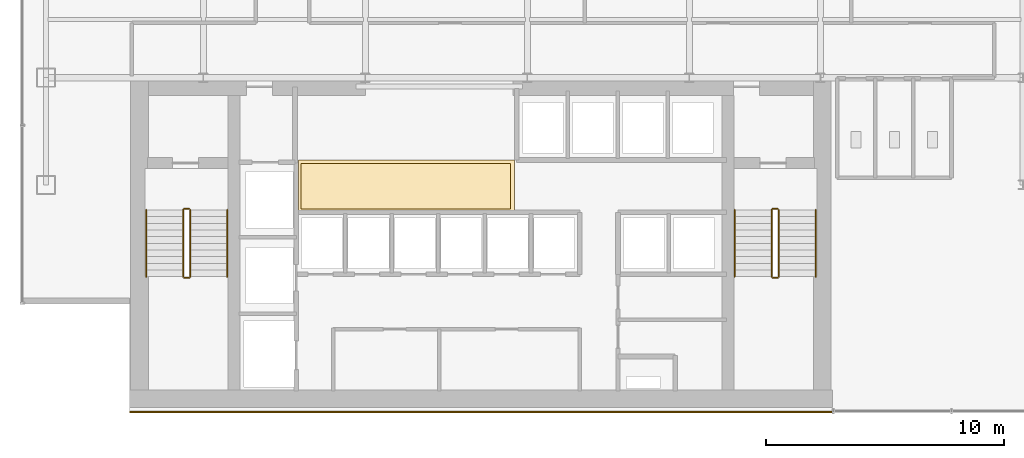
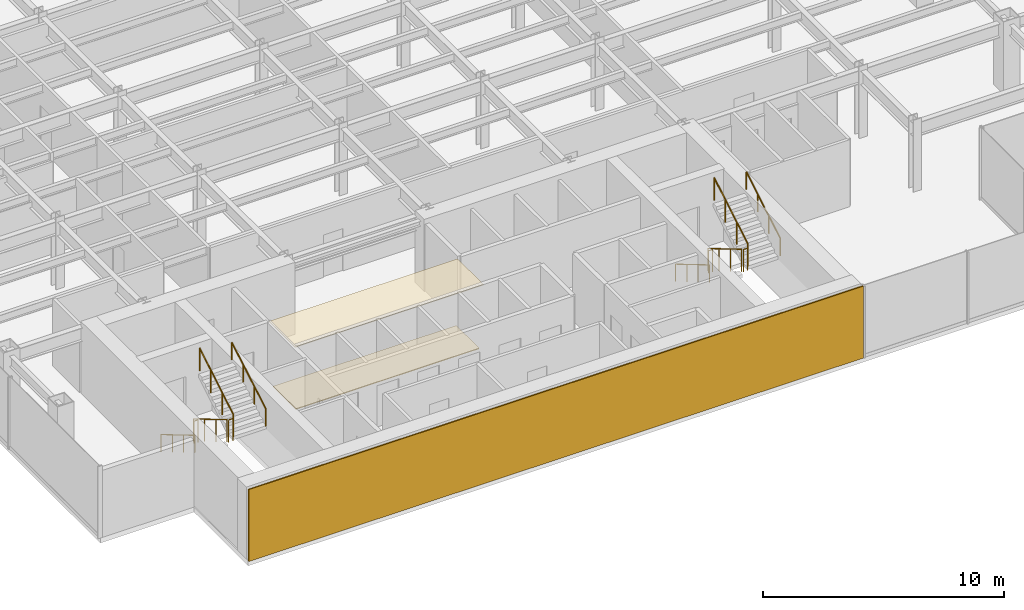
# One storey, part 24 of 26: 12 railings, 3 coverings.
"""IFC4 building model written with IfcOpenShell, lengths in metres."""

from ifc_helpers import new_model, si_unit, derived_unit, direction, frame, origin, origin_2d, place, context, subcontext, project, spatial, polyline, rectangle, circle, outline, extrude, source, transform, mapped, material, layer, layer_set, type_object, element, save


model = new_model("IFC4")

# Units and contexts
model_context = context("Model", 3, precision=1e-05, world=origin(), true_north=direction((0.0, 1.0)))
body_context = subcontext(model_context, "Body", "Model", "MODEL_VIEW")
ifc_project = project(units=[si_unit("LENGTHUNIT", "METRE"), si_unit("AREAUNIT", "SQUARE_METRE"), si_unit("VOLUMEUNIT", "CUBIC_METRE"), si_unit("PLANEANGLEUNIT", "RADIAN"), si_unit("MASSUNIT", "GRAM", prefix="KILO"), derived_unit("THERMALTRANSMITTANCEUNIT", [(si_unit("POWERUNIT", "WATT"), 1), (si_unit("LENGTHUNIT", "METRE"), -2), (si_unit("THERMODYNAMICTEMPERATUREUNIT", "KELVIN"), -1)])], contexts=[model_context])

# Site, building, storey
site_placement = place(None, origin())
site = spatial("IfcSite", under=ifc_project, at=site_placement, CompositionType="ELEMENT")
building_placement = place(site_placement, origin())
building = spatial("IfcBuilding", under=site, at=building_placement, Name="Skarnbrae Concourse Arena and Tower", CompositionType="ELEMENT")
storey_placement = place(building_placement, frame((0.0, 0.0, 125.14990234375)))
storey = spatial("IfcBuildingStorey", under=building, at=storey_placement, Name="L31", CompositionType="ELEMENT", Elevation=125.14990234375)

# Coverings
ifc_material_1 = material(Name="Mineral fibre acoustic ceiling tile", Category="other")
ifc_layer_1 = layer(ifc_material_1, 0.0400390625)
ifc_layer_set_1 = layer_set([ifc_layer_1], Name="Mineral fibre acoustic ceiling tile")
covering_type_1 = type_object("IfcCoveringType", Name="COV-CEIL-ACOUSTIC", PredefinedType="CEILING", material=ifc_layer_set_1)
covering_1_placement = place(storey_placement, frame((0.0, 0.0, 3.239990234375)))
element("IfcCovering", 1, at=covering_1_placement, inside=storey, type_object=covering_type_1, Name="L31 Lift lobby acoustic ceiling", PredefinedType="CEILING", context=body_context, shape_type="SweptSolid", body=[
    extrude(outline(polyline([(11.60009765625, 8.39990234375), (20.64990234375, 8.39990234375), (20.64990234375, 10.550048828125), (11.60009765625, 10.550048828125), (11.60009765625, 8.39990234375)])), origin(), (0.0, 0.0, 1.0), 0.0400390625),
])
ifc_material_2 = material(Name="Polished granite terrazzo flooring", Category="masonry")
ifc_layer_2 = layer(ifc_material_2, 0.0400390625)
ifc_layer_set_2 = layer_set([ifc_layer_2], Name="Polished granite terrazzo flooring")
covering_type_2 = type_object("IfcCoveringType", Name="COV-FLOOR-TERRAZZO", PredefinedType="FLOORING", material=ifc_layer_set_2)
covering_2_placement = place(storey_placement, origin())
element("IfcCovering", 2, at=covering_2_placement, inside=storey, type_object=covering_type_2, Name="L31 Lift lobby terrazzo flooring", PredefinedType="FLOORING", context=body_context, shape_type="SweptSolid", body=[
    extrude(outline(polyline([(11.699951171875, 8.5), (20.5, 8.5), (20.5, 10.39990234375), (11.699951171875, 10.39990234375), (11.699951171875, 8.5)])), origin(), (0.0, 0.0, 1.0), 0.0400390625),
])

# Railings
ifc_material_3 = material(Name="Steel CSA G40.21 350W", Category="steel")
railing_type_1 = type_object("IfcRailingType", Name="RAIL-HANDRAIL-900", PredefinedType="HANDRAIL", material=ifc_material_3)
railing_1_placement = place(storey_placement, frame((5.199951171875, 8.449951171875, 0.166015625)))
element("IfcRailing", 3, at=railing_1_placement, inside=storey, type_object=railing_type_1, Name="L31 ST-1 stair handrail 1", PredefinedType="HANDRAIL", context=body_context, shape_type="SweptSolid", body=[
    extrude(circle(Radius=0.02392578125, at=origin_2d()), frame((0.0, 0.0, 0.8759765625), z_axis=(0.0, -0.860306154799, 0.50977771628), x_axis=(1.0, 0.0, 0.0)), (0.0, 0.0, 1.0), 3.254638671875),
    extrude(circle(Radius=0.02099609375, at=origin_2d()), origin(), (0.0, 0.0, 1.0), 0.851806640625),
    extrude(circle(Radius=0.02099609375, at=origin_2d()), frame((0.0, -0.933349609375, 0.552978515625)), (0.0, 0.0, 1.0), 0.851806640625),
    extrude(circle(Radius=0.02099609375, at=origin_2d()), frame((0.0, -1.86669921875, 1.106201171875)), (0.0, 0.0, 1.0), 0.851806640625),
    extrude(circle(Radius=0.02099609375, at=origin_2d()), frame((0.0, -2.800048828125, 1.6591796875)), (0.0, 0.0, 1.0), 0.851806640625),
])
railing_2_placement = place(storey_placement, frame((8.60009765625, 5.64990234375, 1.990966796875)))
element("IfcRailing", 4, at=railing_2_placement, inside=storey, type_object=railing_type_1, Name="L31 ST-1 stair handrail 2", PredefinedType="HANDRAIL", context=body_context, shape_type="SweptSolid", body=[
    extrude(circle(Radius=0.02392578125, at=origin_2d()), frame((0.0, 0.0, 0.8759765625), z_axis=(0.0, 0.860306154799, 0.50977771628), x_axis=(-1.0, 0.0, 0.0)), (0.0, 0.0, 1.0), 3.254638671875),
    extrude(circle(Radius=0.02099609375, at=origin_2d()), origin(), (0.0, 0.0, 1.0), 0.851806640625),
    extrude(circle(Radius=0.02099609375, at=origin_2d()), frame((0.0, 0.933349609375, 0.552978515625)), (0.0, 0.0, 1.0), 0.851806640625),
    extrude(circle(Radius=0.02099609375, at=origin_2d()), frame((0.0, 1.86669921875, 1.106201171875)), (0.0, 0.0, 1.0), 0.851806640625),
    extrude(circle(Radius=0.02099609375, at=origin_2d()), frame((0.0, 2.800048828125, 1.6591796875)), (0.0, 0.0, 1.0), 0.851806640625),
])
railing_3_placement = place(storey_placement, frame((29.89990234375, 8.449951171875, 0.166015625)))
element("IfcRailing", 5, at=railing_3_placement, inside=storey, type_object=railing_type_1, Name="L31 ST-2 stair handrail 1", PredefinedType="HANDRAIL", context=body_context, shape_type="SweptSolid", body=[
    extrude(circle(Radius=0.02392578125, at=origin_2d()), frame((0.0, 0.0, 0.8759765625), z_axis=(0.0, -0.860306154799, 0.50977771628), x_axis=(1.0, 0.0, 0.0)), (0.0, 0.0, 1.0), 3.254638671875),
    extrude(circle(Radius=0.02099609375, at=origin_2d()), origin(), (0.0, 0.0, 1.0), 0.851806640625),
    extrude(circle(Radius=0.02099609375, at=origin_2d()), frame((0.0, -0.933349609375, 0.552978515625)), (0.0, 0.0, 1.0), 0.851806640625),
    extrude(circle(Radius=0.02099609375, at=origin_2d()), frame((0.0, -1.86669921875, 1.106201171875)), (0.0, 0.0, 1.0), 0.851806640625),
    extrude(circle(Radius=0.02099609375, at=origin_2d()), frame((0.0, -2.800048828125, 1.6591796875)), (0.0, 0.0, 1.0), 0.851806640625),
])
railing_4_placement = place(storey_placement, frame((33.300048828125, 5.64990234375, 1.990966796875)))
element("IfcRailing", 6, at=railing_4_placement, inside=storey, type_object=railing_type_1, Name="L31 ST-2 stair handrail 2", PredefinedType="HANDRAIL", context=body_context, shape_type="SweptSolid", body=[
    extrude(circle(Radius=0.02392578125, at=origin_2d()), frame((0.0, 0.0, 0.8759765625), z_axis=(0.0, 0.860306154799, 0.50977771628), x_axis=(-1.0, 0.0, 0.0)), (0.0, 0.0, 1.0), 3.254638671875),
    extrude(circle(Radius=0.02099609375, at=origin_2d()), origin(), (0.0, 0.0, 1.0), 0.851806640625),
    extrude(circle(Radius=0.02099609375, at=origin_2d()), frame((0.0, 0.933349609375, 0.552978515625)), (0.0, 0.0, 1.0), 0.851806640625),
    extrude(circle(Radius=0.02099609375, at=origin_2d()), frame((0.0, 1.86669921875, 1.106201171875)), (0.0, 0.0, 1.0), 0.851806640625),
    extrude(circle(Radius=0.02099609375, at=origin_2d()), frame((0.0, 2.800048828125, 1.6591796875)), (0.0, 0.0, 1.0), 0.851806640625),
])
railing_type_2 = type_object("IfcRailingType", Name="RAIL-STAIR-GUARD-1150", PredefinedType="GUARDRAIL", material=ifc_material_3)
railing_5_placement = place(storey_placement, frame((6.75, 8.449951171875, 0.166015625)))
element("IfcRailing", 7, at=railing_5_placement, inside=storey, type_object=railing_type_2, Name="L31 ST-1 stair guard 1", PredefinedType="GUARDRAIL", context=body_context, shape_type="SweptSolid", body=[
    extrude(circle(Radius=0.02392578125, at=origin_2d()), frame((0.0, 0.0, 1.1259765625), z_axis=(0.0, -0.860306154799, 0.50977771628), x_axis=(1.0, 0.0, 0.0)), (0.0, 0.0, 1.0), 3.254638671875),
    extrude(circle(Radius=0.02099609375, at=origin_2d()), origin(), (0.0, 0.0, 1.0), 1.101806640625),
    extrude(circle(Radius=0.02099609375, at=origin_2d()), frame((0.0, -0.933349609375, 0.552978515625)), (0.0, 0.0, 1.0), 1.101806640625),
    extrude(circle(Radius=0.02099609375, at=origin_2d()), frame((0.0, -1.86669921875, 1.106201171875)), (0.0, 0.0, 1.0), 1.101806640625),
    extrude(circle(Radius=0.02099609375, at=origin_2d()), frame((0.0, -2.800048828125, 1.6591796875)), (0.0, 0.0, 1.0), 1.101806640625),
])
railing_6_placement = place(storey_placement, frame((6.800048828125, 5.60009765625, 1.8251953125)))
element("IfcRailing", 8, at=railing_6_placement, inside=storey, type_object=railing_type_2, Name="L31 ST-1 stair guard 2", PredefinedType="GUARDRAIL", context=body_context, shape_type="SweptSolid", body=[
    extrude(circle(Radius=0.02392578125, at=origin_2d()), frame((0.0, 0.0, 1.1259765625), z_axis=(1.0, 0.0, 0.0), x_axis=(0.0, 1.0, 0.0)), (0.0, 0.0, 1.0), 0.199951171875),
    extrude(circle(Radius=0.02099609375, at=origin_2d()), origin(), (0.0, 0.0, 1.0), 1.101806640625),
    extrude(circle(Radius=0.02099609375, at=origin_2d()), frame((0.199951171875, 0.0, 0.0)), (0.0, 0.0, 1.0), 1.101806640625),
])
railing_7_placement = place(storey_placement, frame((7.050048828125, 5.64990234375, 1.990966796875)))
element("IfcRailing", 9, at=railing_7_placement, inside=storey, type_object=railing_type_2, Name="L31 ST-1 stair guard 3", PredefinedType="GUARDRAIL", context=body_context, shape_type="SweptSolid", body=[
    extrude(circle(Radius=0.02392578125, at=origin_2d()), frame((0.0, 0.0, 1.1259765625), z_axis=(0.0, 0.860306154799, 0.50977771628), x_axis=(-1.0, 0.0, 0.0)), (0.0, 0.0, 1.0), 3.254638671875),
    extrude(circle(Radius=0.02099609375, at=origin_2d()), origin(), (0.0, 0.0, 1.0), 1.101806640625),
    extrude(circle(Radius=0.02099609375, at=origin_2d()), frame((0.0, 0.933349609375, 0.552978515625)), (0.0, 0.0, 1.0), 1.101806640625),
    extrude(circle(Radius=0.02099609375, at=origin_2d()), frame((0.0, 1.86669921875, 1.106201171875)), (0.0, 0.0, 1.0), 1.101806640625),
    extrude(circle(Radius=0.02099609375, at=origin_2d()), frame((0.0, 2.800048828125, 1.6591796875)), (0.0, 0.0, 1.0), 1.101806640625),
])
railing_8_placement = place(storey_placement, frame((6.800048828125, 8.5, 0.0)))
element("IfcRailing", 10, at=railing_8_placement, inside=storey, type_object=railing_type_2, Name="L31 ST-1 stair guard 4", PredefinedType="GUARDRAIL", context=body_context, shape_type="SweptSolid", body=[
    extrude(circle(Radius=0.02392578125, at=origin_2d()), frame((0.0, 0.0, 1.1259765625), z_axis=(1.0, 0.0, 0.0), x_axis=(0.0, 1.0, 0.0)), (0.0, 0.0, 1.0), 0.199951171875),
    extrude(circle(Radius=0.02099609375, at=origin_2d()), origin(), (0.0, 0.0, 1.0), 1.101806640625),
    extrude(circle(Radius=0.02099609375, at=origin_2d()), frame((0.199951171875, 0.0, 0.0)), (0.0, 0.0, 1.0), 1.101806640625),
])
railing_9_placement = place(storey_placement, frame((31.449951171875, 8.449951171875, 0.166015625)))
element("IfcRailing", 11, at=railing_9_placement, inside=storey, type_object=railing_type_2, Name="L31 ST-2 stair guard 1", PredefinedType="GUARDRAIL", context=body_context, shape_type="SweptSolid", body=[
    extrude(circle(Radius=0.02392578125, at=origin_2d()), frame((0.0, 0.0, 1.1259765625), z_axis=(0.0, -0.860306154799, 0.50977771628), x_axis=(1.0, 0.0, 0.0)), (0.0, 0.0, 1.0), 3.254638671875),
    extrude(circle(Radius=0.02099609375, at=origin_2d()), origin(), (0.0, 0.0, 1.0), 1.101806640625),
    extrude(circle(Radius=0.02099609375, at=origin_2d()), frame((0.0, -0.933349609375, 0.552978515625)), (0.0, 0.0, 1.0), 1.101806640625),
    extrude(circle(Radius=0.02099609375, at=origin_2d()), frame((0.0, -1.86669921875, 1.106201171875)), (0.0, 0.0, 1.0), 1.101806640625),
    extrude(circle(Radius=0.02099609375, at=origin_2d()), frame((0.0, -2.800048828125, 1.6591796875)), (0.0, 0.0, 1.0), 1.101806640625),
])
railing_10_placement = place(storey_placement, frame((31.5, 5.60009765625, 1.8251953125)))
element("IfcRailing", 12, at=railing_10_placement, inside=storey, type_object=railing_type_2, Name="L31 ST-2 stair guard 2", PredefinedType="GUARDRAIL", context=body_context, shape_type="SweptSolid", body=[
    extrude(circle(Radius=0.02392578125, at=origin_2d()), frame((0.0, 0.0, 1.1259765625), z_axis=(1.0, 0.0, 0.0), x_axis=(0.0, 1.0, 0.0)), (0.0, 0.0, 1.0), 0.199951171875),
    extrude(circle(Radius=0.02099609375, at=origin_2d()), origin(), (0.0, 0.0, 1.0), 1.101806640625),
    extrude(circle(Radius=0.02099609375, at=origin_2d()), frame((0.199951171875, 0.0, 0.0)), (0.0, 0.0, 1.0), 1.101806640625),
])
railing_11_placement = place(storey_placement, frame((31.75, 5.64990234375, 1.990966796875)))
element("IfcRailing", 13, at=railing_11_placement, inside=storey, type_object=railing_type_2, Name="L31 ST-2 stair guard 3", PredefinedType="GUARDRAIL", context=body_context, shape_type="SweptSolid", body=[
    extrude(circle(Radius=0.02392578125, at=origin_2d()), frame((0.0, 0.0, 1.1259765625), z_axis=(0.0, 0.860306154799, 0.50977771628), x_axis=(-1.0, 0.0, 0.0)), (0.0, 0.0, 1.0), 3.254638671875),
    extrude(circle(Radius=0.02099609375, at=origin_2d()), origin(), (0.0, 0.0, 1.0), 1.101806640625),
    extrude(circle(Radius=0.02099609375, at=origin_2d()), frame((0.0, 0.933349609375, 0.552978515625)), (0.0, 0.0, 1.0), 1.101806640625),
    extrude(circle(Radius=0.02099609375, at=origin_2d()), frame((0.0, 1.86669921875, 1.106201171875)), (0.0, 0.0, 1.0), 1.101806640625),
    extrude(circle(Radius=0.02099609375, at=origin_2d()), frame((0.0, 2.800048828125, 1.6591796875)), (0.0, 0.0, 1.0), 1.101806640625),
])
railing_12_placement = place(storey_placement, frame((31.5, 8.5, 0.0)))
element("IfcRailing", 14, at=railing_12_placement, inside=storey, type_object=railing_type_2, Name="L31 ST-2 stair guard 4", PredefinedType="GUARDRAIL", context=body_context, shape_type="SweptSolid", body=[
    extrude(circle(Radius=0.02392578125, at=origin_2d()), frame((0.0, 0.0, 1.1259765625), z_axis=(1.0, 0.0, 0.0), x_axis=(0.0, 1.0, 0.0)), (0.0, 0.0, 1.0), 0.199951171875),
    extrude(circle(Radius=0.02099609375, at=origin_2d()), origin(), (0.0, 0.0, 1.0), 1.101806640625),
    extrude(circle(Radius=0.02099609375, at=origin_2d()), frame((0.199951171875, 0.0, 0.0)), (0.0, 0.0, 1.0), 1.101806640625),
])

# Covering
ifc_material_4 = material(Name="Bronze anodised aluminium 6063-T6", Category="aluminium")
ifc_layer_3 = layer(ifc_material_4, 0.06005859375)
ifc_layer_set_3 = layer_set([ifc_layer_3], Name="Bronze anodised aluminium 6063-T6")
covering_type_3 = type_object("IfcCoveringType", Name="COV-CLAD-BRONZE-60", PredefinedType="CLADDING", material=ifc_layer_set_3)
shared_shape = source(origin(), body_context, "Body", "SweptSolid", [
    extrude(rectangle(XDim=29.5, YDim=0.06005859375, at=origin_2d()), origin(), (0.0, 0.0, 1.0), 3.64990234375),
])
covering_3_placement = place(storey_placement, frame((19.25, -0.030029296875, 0.000244140625), z_axis=(0.0, 0.0, 1.0), x_axis=(1.0, 0.0, 0.0)))
element("IfcCovering", 15, at=covering_3_placement, inside=storey, type_object=covering_type_3, Name="L31 Rear-core plumb spine bronze rainscreen panel", PredefinedType="CLADDING", context=body_context, shape_type="MappedRepresentation", body=[
    mapped(shared_shape, transform((0.0, 0.0, 0.0))),
])

save(model, "model.ifc")
